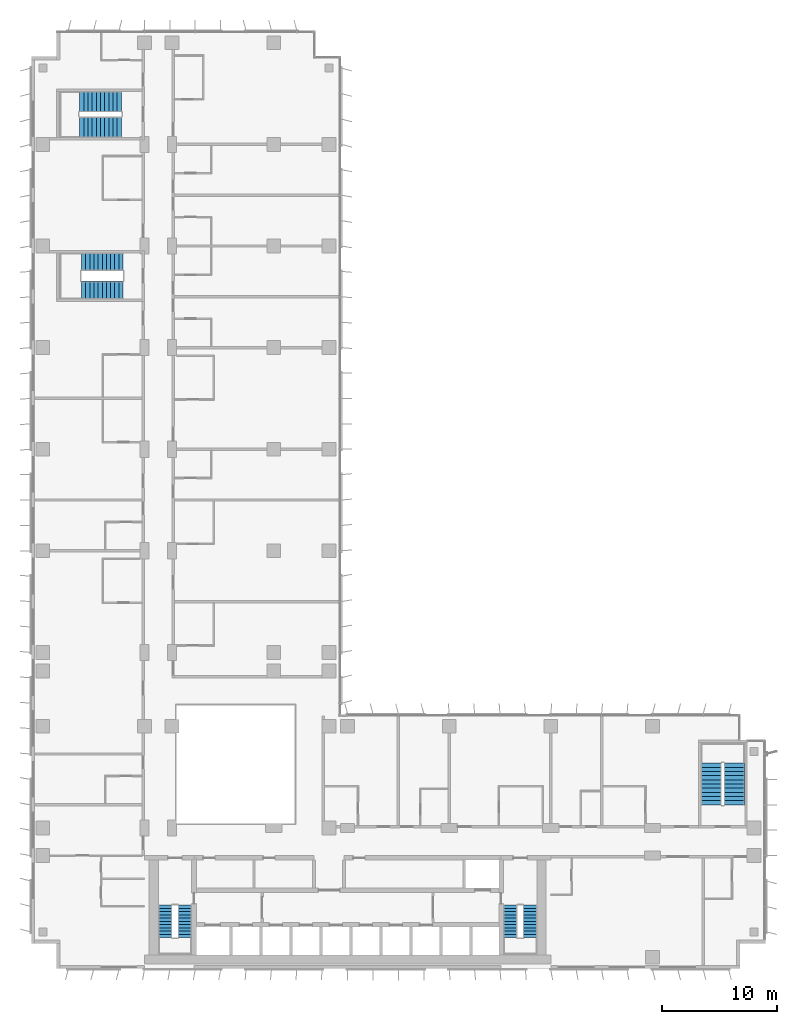
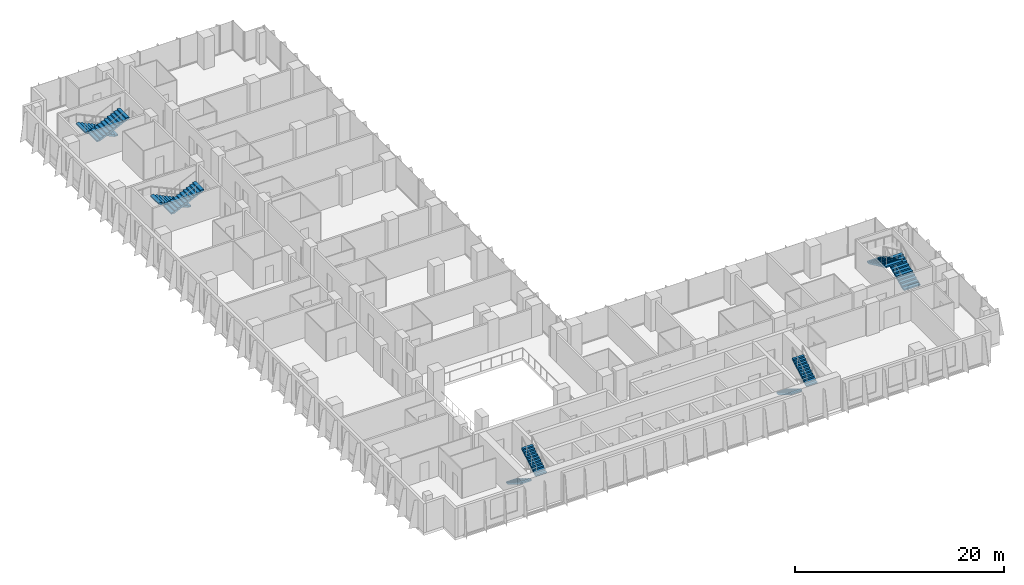
# One storey, part 18 of 22: 10 stair flights, 5 elements without a shape of their own.
"""IFC4 building model written with IfcOpenShell, lengths in metres."""

from ifc_helpers import new_model, si_unit, direction, frame, origin, place, context, subcontext, project, spatial, polyline, outline, extrude, material, type_object, element, aggregate, save


model = new_model("IFC4")

# Units and contexts
model_context = context("Model", 3, precision=1e-05, world=origin(), true_north=direction((0.0, 1.0)))
body_context = subcontext(model_context, "Body", "Model", "MODEL_VIEW")
ifc_project = project(units=[si_unit("LENGTHUNIT", "METRE"), si_unit("AREAUNIT", "SQUARE_METRE"), si_unit("VOLUMEUNIT", "CUBIC_METRE"), si_unit("PLANEANGLEUNIT", "RADIAN"), si_unit("MASSUNIT", "GRAM", prefix="KILO")], contexts=[model_context])

# Site, building, storey
site_placement = place(None, origin())
site = spatial("IfcSite", under=ifc_project, at=site_placement, CompositionType="ELEMENT")
building_placement = place(site_placement, origin())
building = spatial("IfcBuilding", under=site, at=building_placement, Name="Kemantara Hotel Tower", CompositionType="ELEMENT")
storey_placement = place(building_placement, frame((0.0, 0.0, 90.800048828125)))
storey = spatial("IfcBuildingStorey", under=building, at=storey_placement, Name="L21", CompositionType="ELEMENT", Elevation=90.800048828125)

# Stair, stair flights
ifc_material = material(Name="Concrete fc 40 MPa", Category="concrete")
stair_type_1 = type_object("IfcStairType", Name="Stair 1200 wide 22 risers of 168 x 280 mm", PredefinedType="HALF_TURN_STAIR", material=ifc_material)
stair_1_placement = place(storey_placement, origin())
stair_1 = element("IfcStair", 1, at=stair_1_placement, inside=storey, type_object=stair_type_1, Name="L21 Exit stair ST1", PredefinedType="HALF_TURN_STAIR")
stair_flight_type_1 = type_object("IfcStairFlightType", Name="Stair flight 1200 wide 168 x 280 mm", PredefinedType="STRAIGHT", material=ifc_material)
stair_flight_1_placement = place(storey_placement, frame((11.60009765625, 5.5, 0.0), z_axis=(0.0, 0.0, 1.0), x_axis=(0.0, -1.0, 0.0)))
stair_flight_1 = element("IfcStairFlight", 2, at=stair_flight_1_placement, type_object=stair_flight_type_1, Name="ST1 flight 1", NumberOfRisers=11, NumberOfTreads=10, PredefinedType="STRAIGHT", RiserHeight=0.168181818, TreadLength=0.28, context=body_context, shape_type="SweptSolid", body=[
    extrude(outline(polyline([(0.0, 0.0), (0.0, 0.168212890625), (0.280029296875, 0.168212890625), (0.280029296875, 0.33642578125), (0.56005859375, 0.33642578125), (0.56005859375, 0.504638671875), (0.840087890625, 0.504638671875), (0.840087890625, 0.672607421875), (1.1201171875, 0.672607421875), (1.1201171875, 0.8408203125), (1.39990234375, 0.8408203125), (1.39990234375, 1.009033203125), (1.679931640625, 1.009033203125), (1.679931640625, 1.17724609375), (1.9599609375, 1.17724609375), (1.9599609375, 1.345458984375), (2.239990234375, 1.345458984375), (2.239990234375, 1.513671875), (2.52001953125, 1.513671875), (2.52001953125, 1.681884765625), (2.800048828125, 1.681884765625), (2.800048828125, 1.85009765625), (2.800048828125, 1.5068359375), (0.291015625, 0.0), (0.0, 0.0)])), frame((0.0, 0.60009765625, 0.0), z_axis=(0.0, -1.0, 0.0), x_axis=(1.0, 0.0, 0.0)), (0.0, 0.0, 1.0), 1.199951171875),
])
stair_flight_2_placement = place(storey_placement, frame((13.300048828125, 2.699951171875, 1.849853515625), z_axis=(0.0, 0.0, 1.0), x_axis=(0.0, 1.0, 0.0)))
stair_flight_2 = element("IfcStairFlight", 3, at=stair_flight_2_placement, type_object=stair_flight_type_1, Name="ST1 flight 2", NumberOfRisers=11, NumberOfTreads=10, PredefinedType="STRAIGHT", RiserHeight=0.168181818, TreadLength=0.28, context=body_context, shape_type="SweptSolid", body=[
    extrude(outline(polyline([(0.0, 0.0), (0.0, 0.168212890625), (0.280029296875, 0.168212890625), (0.280029296875, 0.33642578125), (0.56005859375, 0.33642578125), (0.56005859375, 0.504638671875), (0.840087890625, 0.504638671875), (0.840087890625, 0.672607421875), (1.1201171875, 0.672607421875), (1.1201171875, 0.8408203125), (1.39990234375, 0.8408203125), (1.39990234375, 1.009033203125), (1.679931640625, 1.009033203125), (1.679931640625, 1.17724609375), (1.9599609375, 1.17724609375), (1.9599609375, 1.345458984375), (2.239990234375, 1.345458984375), (2.239990234375, 1.513671875), (2.52001953125, 1.513671875), (2.52001953125, 1.681884765625), (2.800048828125, 1.681884765625), (2.800048828125, 1.85009765625), (2.800048828125, 1.5068359375), (0.291015625, 0.0), (0.0, 0.0)])), frame((0.0, 0.60009765625, 0.0), z_axis=(0.0, -1.0, 0.0), x_axis=(1.0, 0.0, 0.0)), (0.0, 0.0, 1.0), 1.199951171875),
])
aggregate(stair_1, [stair_flight_1, stair_flight_2])

stair_2_placement = place(storey_placement, origin())
stair_2 = element("IfcStair", 4, at=stair_2_placement, inside=storey, type_object=stair_type_1, Name="L21 Exit stair ST2", PredefinedType="HALF_TURN_STAIR")
stair_flight_3_placement = place(storey_placement, frame((41.5, 5.5, 0.0), z_axis=(0.0, 0.0, 1.0), x_axis=(0.0, -1.0, 0.0)))
stair_flight_3 = element("IfcStairFlight", 5, at=stair_flight_3_placement, type_object=stair_flight_type_1, Name="ST2 flight 1", NumberOfRisers=11, NumberOfTreads=10, PredefinedType="STRAIGHT", RiserHeight=0.168181818, TreadLength=0.28, context=body_context, shape_type="SweptSolid", body=[
    extrude(outline(polyline([(0.0, 0.0), (0.0, 0.168212890625), (0.280029296875, 0.168212890625), (0.280029296875, 0.33642578125), (0.56005859375, 0.33642578125), (0.56005859375, 0.504638671875), (0.840087890625, 0.504638671875), (0.840087890625, 0.672607421875), (1.1201171875, 0.672607421875), (1.1201171875, 0.8408203125), (1.39990234375, 0.8408203125), (1.39990234375, 1.009033203125), (1.679931640625, 1.009033203125), (1.679931640625, 1.17724609375), (1.9599609375, 1.17724609375), (1.9599609375, 1.345458984375), (2.239990234375, 1.345458984375), (2.239990234375, 1.513671875), (2.52001953125, 1.513671875), (2.52001953125, 1.681884765625), (2.800048828125, 1.681884765625), (2.800048828125, 1.85009765625), (2.800048828125, 1.5068359375), (0.291015625, 0.0), (0.0, 0.0)])), frame((0.0, 0.60009765625, 0.0), z_axis=(0.0, -1.0, 0.0), x_axis=(1.0, 0.0, 0.0)), (0.0, 0.0, 1.0), 1.199951171875),
])
stair_flight_4_placement = place(storey_placement, frame((43.199951171875, 2.699951171875, 1.849853515625), z_axis=(0.0, 0.0, 1.0), x_axis=(0.0, 1.0, 0.0)))
stair_flight_4 = element("IfcStairFlight", 6, at=stair_flight_4_placement, type_object=stair_flight_type_1, Name="ST2 flight 2", NumberOfRisers=11, NumberOfTreads=10, PredefinedType="STRAIGHT", RiserHeight=0.168181818, TreadLength=0.28, context=body_context, shape_type="SweptSolid", body=[
    extrude(outline(polyline([(0.0, 0.0), (0.0, 0.168212890625), (0.280029296875, 0.168212890625), (0.280029296875, 0.33642578125), (0.56005859375, 0.33642578125), (0.56005859375, 0.504638671875), (0.840087890625, 0.504638671875), (0.840087890625, 0.672607421875), (1.1201171875, 0.672607421875), (1.1201171875, 0.8408203125), (1.39990234375, 0.8408203125), (1.39990234375, 1.009033203125), (1.679931640625, 1.009033203125), (1.679931640625, 1.17724609375), (1.9599609375, 1.17724609375), (1.9599609375, 1.345458984375), (2.239990234375, 1.345458984375), (2.239990234375, 1.513671875), (2.52001953125, 1.513671875), (2.52001953125, 1.681884765625), (2.800048828125, 1.681884765625), (2.800048828125, 1.85009765625), (2.800048828125, 1.5068359375), (0.291015625, 0.0), (0.0, 0.0)])), frame((0.0, 0.60009765625, 0.0), z_axis=(0.0, -1.0, 0.0), x_axis=(1.0, 0.0, 0.0)), (0.0, 0.0, 1.0), 1.199951171875),
])
aggregate(stair_2, [stair_flight_3, stair_flight_4])

stair_type_2 = type_object("IfcStairType", Name="Stair 1550 wide 22 risers of 168 x 360 mm", PredefinedType="HALF_TURN_STAIR", material=ifc_material)
stair_3_placement = place(storey_placement, origin())
stair_3 = element("IfcStair", 7, at=stair_3_placement, inside=storey, type_object=stair_type_2, Name="L21 Exit stair ST4", PredefinedType="HALF_TURN_STAIR")
stair_flight_type_2 = type_object("IfcStairFlightType", Name="Stair flight 1550 wide 168 x 360 mm", PredefinedType="STRAIGHT", material=ifc_material)
stair_flight_5_placement = place(storey_placement, frame((7.949951171875, 61.22509765625, 0.0), z_axis=(0.0, 0.0, 1.0), x_axis=(-1.0, 0.0, 0.0)))
stair_flight_5 = element("IfcStairFlight", 8, at=stair_flight_5_placement, type_object=stair_flight_type_2, Name="ST4 flight 1", NumberOfRisers=11, NumberOfTreads=10, PredefinedType="STRAIGHT", RiserHeight=0.168181818, TreadLength=0.36, context=body_context, shape_type="SweptSolid", body=[
    extrude(outline(polyline([(0.0, 0.0), (0.0, 0.168212890625), (0.360107421875, 0.168212890625), (0.360107421875, 0.33642578125), (0.719970703125, 0.33642578125), (0.719970703125, 0.504638671875), (1.080078125, 0.504638671875), (1.080078125, 0.672607421875), (1.43994140625, 0.672607421875), (1.43994140625, 0.8408203125), (1.800048828125, 0.8408203125), (1.800048828125, 1.009033203125), (2.159912109375, 1.009033203125), (2.159912109375, 1.17724609375), (2.52001953125, 1.17724609375), (2.52001953125, 1.345458984375), (2.8798828125, 1.345458984375), (2.8798828125, 1.513671875), (3.239990234375, 1.513671875), (3.239990234375, 1.681884765625), (3.60009765625, 1.681884765625), (3.60009765625, 1.85009765625), (3.60009765625, 1.516357421875), (0.354248046875, 0.0), (0.0, 0.0)])), frame((0.0, 0.77490234375, 0.0), z_axis=(0.0, -1.0, 0.0), x_axis=(1.0, 0.0, 0.0)), (0.0, 0.0, 1.0), 1.550048828125),
])
stair_flight_6_placement = place(storey_placement, frame((4.35009765625, 58.77490234375, 1.849853515625), z_axis=(0.0, 0.0, 1.0), x_axis=(1.0, 0.0, 0.0)))
stair_flight_6 = element("IfcStairFlight", 9, at=stair_flight_6_placement, type_object=stair_flight_type_2, Name="ST4 flight 2", NumberOfRisers=11, NumberOfTreads=10, PredefinedType="STRAIGHT", RiserHeight=0.168181818, TreadLength=0.36, context=body_context, shape_type="SweptSolid", body=[
    extrude(outline(polyline([(0.0, 0.0), (0.0, 0.168212890625), (0.360107421875, 0.168212890625), (0.360107421875, 0.33642578125), (0.719970703125, 0.33642578125), (0.719970703125, 0.504638671875), (1.080078125, 0.504638671875), (1.080078125, 0.672607421875), (1.43994140625, 0.672607421875), (1.43994140625, 0.8408203125), (1.800048828125, 0.8408203125), (1.800048828125, 1.009033203125), (2.159912109375, 1.009033203125), (2.159912109375, 1.17724609375), (2.52001953125, 1.17724609375), (2.52001953125, 1.345458984375), (2.8798828125, 1.345458984375), (2.8798828125, 1.513671875), (3.239990234375, 1.513671875), (3.239990234375, 1.681884765625), (3.60009765625, 1.681884765625), (3.60009765625, 1.85009765625), (3.60009765625, 1.516357421875), (0.354248046875, 0.0), (0.0, 0.0)])), frame((0.0, 0.77490234375, 0.0), z_axis=(0.0, -1.0, 0.0), x_axis=(1.0, 0.0, 0.0)), (0.0, 0.0, 1.0), 1.550048828125),
])
aggregate(stair_3, [stair_flight_5, stair_flight_6])

stair_type_3 = type_object("IfcStairType", Name="Stair 1800 wide 22 risers of 168 x 360 mm", PredefinedType="HALF_TURN_STAIR", material=ifc_material)
stair_4_placement = place(storey_placement, origin())
stair_4 = element("IfcStair", 10, at=stair_4_placement, inside=storey, type_object=stair_type_3, Name="L21 Exit stair ST3", PredefinedType="HALF_TURN_STAIR")
stair_flight_type_3 = type_object("IfcStairFlightType", Name="Stair flight 1800 wide 168 x 360 mm", PredefinedType="STRAIGHT", material=ifc_material)
stair_flight_7_placement = place(storey_placement, frame((60.89990234375, 14.199951171875, 0.0), z_axis=(0.0, 0.0, 1.0), x_axis=(0.0, 1.0, 0.0)))
stair_flight_7 = element("IfcStairFlight", 11, at=stair_flight_7_placement, type_object=stair_flight_type_3, Name="ST3 flight 1", NumberOfRisers=11, NumberOfTreads=10, PredefinedType="STRAIGHT", RiserHeight=0.168181818, TreadLength=0.36, context=body_context, shape_type="SweptSolid", body=[
    extrude(outline(polyline([(0.0, 0.0), (0.0, 0.168212890625), (0.360107421875, 0.168212890625), (0.360107421875, 0.33642578125), (0.719970703125, 0.33642578125), (0.719970703125, 0.504638671875), (1.080078125, 0.504638671875), (1.080078125, 0.672607421875), (1.43994140625, 0.672607421875), (1.43994140625, 0.8408203125), (1.800048828125, 0.8408203125), (1.800048828125, 1.009033203125), (2.159912109375, 1.009033203125), (2.159912109375, 1.17724609375), (2.52001953125, 1.17724609375), (2.52001953125, 1.345458984375), (2.8798828125, 1.345458984375), (2.8798828125, 1.513671875), (3.239990234375, 1.513671875), (3.239990234375, 1.681884765625), (3.60009765625, 1.681884765625), (3.60009765625, 1.85009765625), (3.60009765625, 1.516357421875), (0.354248046875, 0.0), (0.0, 0.0)])), frame((0.0, 0.89990234375, 0.0), z_axis=(0.0, -1.0, 0.0), x_axis=(1.0, 0.0, 0.0)), (0.0, 0.0, 1.0), 1.800048828125),
])
stair_flight_8_placement = place(storey_placement, frame((58.89990234375, 17.800048828125, 1.849853515625), z_axis=(0.0, 0.0, 1.0), x_axis=(0.0, -1.0, 0.0)))
stair_flight_8 = element("IfcStairFlight", 12, at=stair_flight_8_placement, type_object=stair_flight_type_3, Name="ST3 flight 2", NumberOfRisers=11, NumberOfTreads=10, PredefinedType="STRAIGHT", RiserHeight=0.168181818, TreadLength=0.36, context=body_context, shape_type="SweptSolid", body=[
    extrude(outline(polyline([(0.0, 0.0), (0.0, 0.168212890625), (0.360107421875, 0.168212890625), (0.360107421875, 0.33642578125), (0.719970703125, 0.33642578125), (0.719970703125, 0.504638671875), (1.080078125, 0.504638671875), (1.080078125, 0.672607421875), (1.43994140625, 0.672607421875), (1.43994140625, 0.8408203125), (1.800048828125, 0.8408203125), (1.800048828125, 1.009033203125), (2.159912109375, 1.009033203125), (2.159912109375, 1.17724609375), (2.52001953125, 1.17724609375), (2.52001953125, 1.345458984375), (2.8798828125, 1.345458984375), (2.8798828125, 1.513671875), (3.239990234375, 1.513671875), (3.239990234375, 1.681884765625), (3.60009765625, 1.681884765625), (3.60009765625, 1.85009765625), (3.60009765625, 1.516357421875), (0.354248046875, 0.0), (0.0, 0.0)])), frame((0.0, 0.89990234375, 0.0), z_axis=(0.0, -1.0, 0.0), x_axis=(1.0, 0.0, 0.0)), (0.0, 0.0, 1.0), 1.800048828125),
])
aggregate(stair_4, [stair_flight_7, stair_flight_8])

stair_5_placement = place(storey_placement, origin())
stair_5 = element("IfcStair", 13, at=stair_5_placement, inside=storey, type_object=stair_type_3, Name="L21 Exit stair ST6", PredefinedType="HALF_TURN_STAIR")
stair_flight_9_placement = place(storey_placement, frame((7.800048828125, 75.10009765625, 0.0), z_axis=(0.0, 0.0, 1.0), x_axis=(-1.0, 0.0, 0.0)))
stair_flight_9 = element("IfcStairFlight", 14, at=stair_flight_9_placement, type_object=stair_flight_type_3, Name="ST6 flight 1", NumberOfRisers=11, NumberOfTreads=10, PredefinedType="STRAIGHT", RiserHeight=0.168181818, TreadLength=0.36, context=body_context, shape_type="SweptSolid", body=[
    extrude(outline(polyline([(0.0, 0.0), (0.0, 0.168212890625), (0.360107421875, 0.168212890625), (0.360107421875, 0.33642578125), (0.719970703125, 0.33642578125), (0.719970703125, 0.504638671875), (1.080078125, 0.504638671875), (1.080078125, 0.672607421875), (1.43994140625, 0.672607421875), (1.43994140625, 0.8408203125), (1.800048828125, 0.8408203125), (1.800048828125, 1.009033203125), (2.159912109375, 1.009033203125), (2.159912109375, 1.17724609375), (2.52001953125, 1.17724609375), (2.52001953125, 1.345458984375), (2.8798828125, 1.345458984375), (2.8798828125, 1.513671875), (3.239990234375, 1.513671875), (3.239990234375, 1.681884765625), (3.60009765625, 1.681884765625), (3.60009765625, 1.85009765625), (3.60009765625, 1.516357421875), (0.354248046875, 0.0), (0.0, 0.0)])), frame((0.0, 0.89990234375, 0.0), z_axis=(0.0, -1.0, 0.0), x_axis=(1.0, 0.0, 0.0)), (0.0, 0.0, 1.0), 1.800048828125),
])
stair_flight_10_placement = place(storey_placement, frame((4.199951171875, 72.89990234375, 1.849853515625), z_axis=(0.0, 0.0, 1.0), x_axis=(1.0, 0.0, 0.0)))
stair_flight_10 = element("IfcStairFlight", 15, at=stair_flight_10_placement, type_object=stair_flight_type_3, Name="ST6 flight 2", NumberOfRisers=11, NumberOfTreads=10, PredefinedType="STRAIGHT", RiserHeight=0.168181818, TreadLength=0.36, context=body_context, shape_type="SweptSolid", body=[
    extrude(outline(polyline([(0.0, 0.0), (0.0, 0.168212890625), (0.360107421875, 0.168212890625), (0.360107421875, 0.33642578125), (0.719970703125, 0.33642578125), (0.719970703125, 0.504638671875), (1.080078125, 0.504638671875), (1.080078125, 0.672607421875), (1.43994140625, 0.672607421875), (1.43994140625, 0.8408203125), (1.800048828125, 0.8408203125), (1.800048828125, 1.009033203125), (2.159912109375, 1.009033203125), (2.159912109375, 1.17724609375), (2.52001953125, 1.17724609375), (2.52001953125, 1.345458984375), (2.8798828125, 1.345458984375), (2.8798828125, 1.513671875), (3.239990234375, 1.513671875), (3.239990234375, 1.681884765625), (3.60009765625, 1.681884765625), (3.60009765625, 1.85009765625), (3.60009765625, 1.516357421875), (0.354248046875, 0.0), (0.0, 0.0)])), frame((0.0, 0.89990234375, 0.0), z_axis=(0.0, -1.0, 0.0), x_axis=(1.0, 0.0, 0.0)), (0.0, 0.0, 1.0), 1.800048828125),
])
aggregate(stair_5, [stair_flight_9, stair_flight_10])

save(model, "model.ifc")
